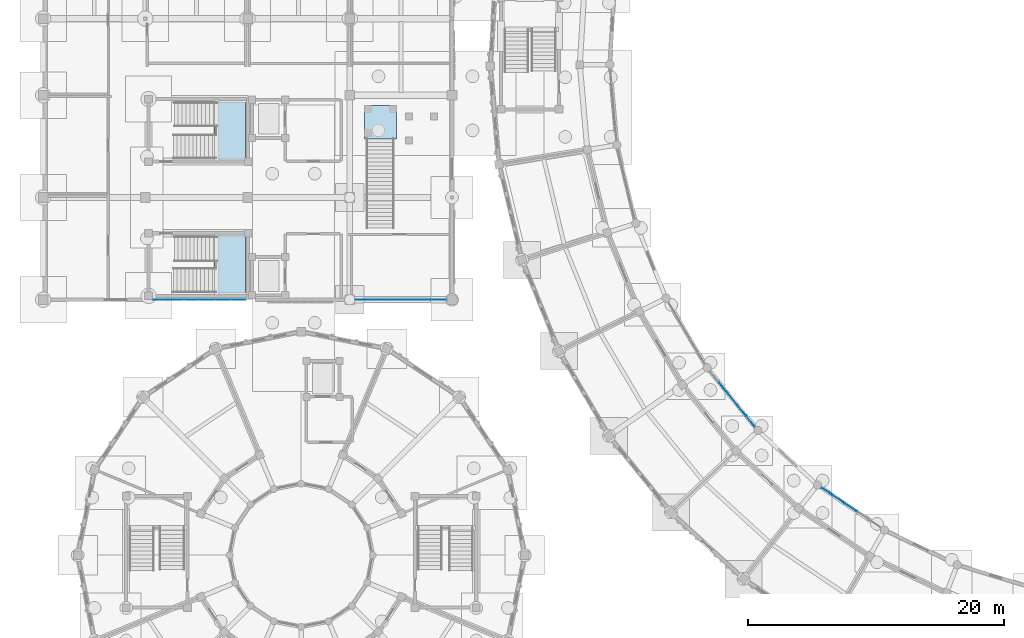
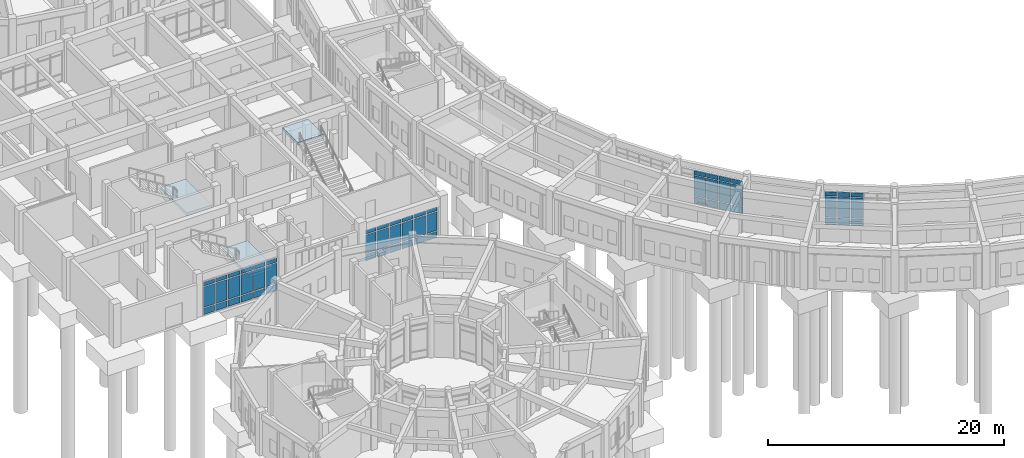
# One storey, part 103 of 153: 57 plates, 3 slabs, 7 elements without a shape of their own.
"""IFC4 building model written with IfcOpenShell, lengths in metres."""

import ifcopenshell
import ifcopenshell.guid

model = None  # the IFC model being written
_history = None  # IfcOwnerHistory: only IFC2X3 demands one
_inside = {}  # id of a spatial element -> (the spatial element, [elements in it])
_under = {}  # id of a project, library or spatial element -> (it, [spatial elements below it])
_declared = {}  # id of a project -> (the project, [libraries it declares])
_typed = {}  # id of a type object -> (the type object, [elements of that type])
_made_of = {}  # id of a material, layer set ... -> (it, [elements and type objects made of it])


def new_model(schema):
    """Start an empty IFC model of exactly this schema.

    Asked for "IFC4X3", IfcOpenShell would pick the latest addendum, in which some entities
    have other attributes; the version numbers below select the first issue.
    IFC2X3 requires an IfcOwnerHistory on every rooted entity: one is made here for all.
    """
    global model, _history
    if schema == "IFC4X3":
        model = ifcopenshell.file(schema_version=(4, 3, 0, 0))
    else:
        model = ifcopenshell.file(schema=schema)
    _inside.clear()
    _under.clear()
    _declared.clear()
    _typed.clear()
    _made_of.clear()
    _history = None
    if model.schema == "IFC2X3":
        org = make("IfcOrganization", Name="unknown")
        user = make(
            "IfcPersonAndOrganization",
            ThePerson=make("IfcPerson", FamilyName="unknown"),
            TheOrganization=org,
        )
        app = make(
            "IfcApplication",
            ApplicationDeveloper=org,
            Version="unknown",
            ApplicationFullName="unknown",
            ApplicationIdentifier="unknown",
        )
        _history = make(
            "IfcOwnerHistory",
            OwningUser=user,
            OwningApplication=app,
            ChangeAction="ADDED",
            CreationDate=0,
        )
    return model


def make(cls, **values):
    """One entity of the class cls with the attributes given. An attribute that is None is left unset."""
    return model.create_entity(
        cls, **{name: value for name, value in values.items() if value is not None}
    )


def rooted(cls, **values):
    """An entity with a GlobalId (a new one), such as an element, a storey or a relation."""
    return make(cls, GlobalId=ifcopenshell.guid.new(), OwnerHistory=_history, **values)


def si_unit(unit_type, name, prefix=None):
    """IfcSIUnit, for example si_unit("LENGTHUNIT", "METRE", prefix="MILLI")."""
    return make("IfcSIUnit", UnitType=unit_type, Prefix=prefix, Name=name)


def assignment(units):
    """IfcUnitAssignment: the units of a project."""
    return None if units is None else make("IfcUnitAssignment", Units=units)


def point(xyz):
    """IfcCartesianPoint."""
    return None if xyz is None else make("IfcCartesianPoint", Coordinates=xyz)


def direction(xyz):
    """IfcDirection."""
    return None if xyz is None else make("IfcDirection", DirectionRatios=xyz)


def frame(location, z_axis=None, x_axis=None):
    """IfcAxis2Placement3D, a coordinate frame: its origin and axes. An axis left out is left unset."""
    return make(
        "IfcAxis2Placement3D",
        Location=point(location),
        Axis=direction(z_axis),
        RefDirection=direction(x_axis),
    )


def frame_2d(location, x_axis=None):
    """IfcAxis2Placement2D, a coordinate frame in the plane: its origin and x axis."""
    return make(
        "IfcAxis2Placement2D", Location=point(location), RefDirection=direction(x_axis)
    )


def origin():
    """The frame at (0, 0, 0) with its axes left unset."""
    return frame((0.0, 0.0, 0.0))


def origin_2d():
    """The frame at (0, 0) in the plane with its x axis left unset."""
    return frame_2d((0.0, 0.0))


def place(relative_to, where):
    """IfcLocalPlacement: puts the frame where relative to a parent placement (None: the world)."""
    return make(
        "IfcLocalPlacement", PlacementRelTo=relative_to, RelativePlacement=where
    )


def context(
    kind, dimensions, precision=None, world=None, true_north=None, identifier=None
):
    """IfcGeometricRepresentationContext, for example the 3D "Model" context."""
    return make(
        "IfcGeometricRepresentationContext",
        ContextIdentifier=identifier,
        ContextType=kind,
        CoordinateSpaceDimension=dimensions,
        Precision=precision,
        WorldCoordinateSystem=world,
        TrueNorth=true_north,
    )


def subcontext(parent, identifier, kind, view, scale=None):
    """IfcGeometricRepresentationSubContext, for example "Body" below "Model"."""
    return make(
        "IfcGeometricRepresentationSubContext",
        ContextIdentifier=identifier,
        ContextType=kind,
        ParentContext=parent,
        TargetScale=scale,
        TargetView=view,
    )


def project(units=None, contexts=None):
    """IfcProject with its units and contexts."""
    return rooted(
        "IfcProject",
        Name="project",
        RepresentationContexts=contexts,
        UnitsInContext=assignment(units),
    )


def spatial(cls, under=None, at=None, **own):
    """A site, building, storey or space (cls), placed at a placement, below another one or the project."""
    s = rooted(cls, ObjectPlacement=at, **own)
    if under is not None:
        _under.setdefault(under.id(), (under, []))[1].append(s)
    return s


def polyline(points):
    """IfcPolyline through the points."""
    return make("IfcPolyline", Points=[point(p) for p in points])


def profile(cls, at=None, kind="AREA", **sizes):
    """A parametric profile (cls). Its sizes go by their IFC names, for example OverallWidth=200.0."""
    return make(cls, ProfileType=kind, Position=at, **sizes)


def rectangle(**sizes):
    """IfcRectangleProfileDef."""
    return profile("IfcRectangleProfileDef", **sizes)


def outline(outer, holes=None, kind="AREA"):
    """IfcArbitraryClosedProfileDef: a profile drawn as a closed curve; with holes, ...WithVoids."""
    if holes is None:
        return make("IfcArbitraryClosedProfileDef", ProfileType=kind, OuterCurve=outer)
    return make(
        "IfcArbitraryProfileDefWithVoids",
        ProfileType=kind,
        OuterCurve=outer,
        InnerCurves=holes,
    )


def extrude(swept, where, along, depth):
    """IfcExtrudedAreaSolid: the profile swept, set in the frame where, extruded along a direction by depth."""
    return make(
        "IfcExtrudedAreaSolid",
        SweptArea=swept,
        Position=where,
        ExtrudedDirection=direction(along),
        Depth=depth,
    )


def shape(context_of_items, identifier, shape_type, items):
    """IfcShapeRepresentation: the items that make up one representation, for example the "Body"."""
    return make(
        "IfcShapeRepresentation",
        ContextOfItems=context_of_items,
        RepresentationIdentifier=identifier,
        RepresentationType=shape_type,
        Items=items,
    )


def material(Name=None, Category=None):
    """IfcMaterial."""
    return make("IfcMaterial", Name=Name, Category=Category)


def layer(
    of_material, thickness, ventilated=None, Name=None, Category=None, Priority=None
):
    """IfcMaterialLayer: one layer of a wall or slab, of a material (None: an air gap)."""
    return make(
        "IfcMaterialLayer",
        Material=of_material,
        LayerThickness=thickness,
        IsVentilated=ventilated,
        Name=Name,
        Category=Category,
        Priority=Priority,
    )


def layer_set(layers, Name=None):
    """IfcMaterialLayerSet."""
    return make("IfcMaterialLayerSet", MaterialLayers=layers, LayerSetName=Name)


def made_of(thing, what):
    """Note that an element or type object is made of a material, layer set ...; save() writes the relation."""
    if what is not None:
        _made_of.setdefault(what.id(), (what, []))[1].append(thing)
    return thing


def type_object(cls, material=None, **own):
    """A type object (cls), such as IfcWallType, which elements share."""
    return made_of(rooted(cls, **own), material)


def element(
    cls,
    number,
    at=None,
    inside=None,
    cuts=None,
    type_object=None,
    material=None,
    context=None,
    identifier="Body",
    shape_type=None,
    held_by="IfcProductDefinitionShape",
    body=None,
    shapes=None,
    **own,
):
    """One element of the class cls, such as IfcWall. Its Tag is "e" and its number.

    at: its placement. inside: the storey or other place that contains it. cuts: it is an
    opening in that element (IfcRelVoidsElement). A single representation is given by context,
    identifier, shape_type and body (its items); several are given by shapes. held_by: the class
    of the entity that holds the representations. save() writes the other relations.
    """
    e = rooted(cls, Tag="e%d" % number, ObjectPlacement=at, **own)
    if body is not None:
        shapes = [shape(context, identifier, shape_type, body)]
    if shapes is not None:
        e.Representation = make(held_by, Representations=shapes)
    if inside is not None:
        _inside.setdefault(inside.id(), (inside, []))[1].append(e)
    if cuts is not None:
        rooted(
            "IfcRelVoidsElement", RelatingBuildingElement=cuts, RelatedOpeningElement=e
        )
    if type_object is not None:
        _typed.setdefault(type_object.id(), (type_object, []))[1].append(e)
    return made_of(e, material)


def aggregate(whole, parts):
    """IfcRelAggregates: a whole, such as a stair, and the parts it consists of."""
    return rooted("IfcRelAggregates", RelatingObject=whole, RelatedObjects=parts)


def save(model, path):
    """Write the relations noted so far, then the file.

    IfcRelAggregates (storeys below a building ...), IfcRelContainedInSpatialStructure (elements
    in a storey), IfcRelDefinesByType, IfcRelAssociatesMaterial and IfcRelDeclares: one each for
    every whole, place, type object, material and project.
    """
    for whole, parts in _under.values():
        aggregate(whole, parts)
    for where, things in _inside.values():
        rooted(
            "IfcRelContainedInSpatialStructure",
            RelatedElements=things,
            RelatingStructure=where,
        )
    for kind, things in _typed.values():
        rooted("IfcRelDefinesByType", RelatedObjects=things, RelatingType=kind)
    for what, things in _made_of.values():
        rooted("IfcRelAssociatesMaterial", RelatedObjects=things, RelatingMaterial=what)
    for by, libraries in _declared.values():
        rooted("IfcRelDeclares", RelatingContext=by, RelatedDefinitions=libraries)
    model.write(path)


model = new_model("IFC4")

# Units and contexts
model_context = context("Model", 3, precision=1e-05, world=origin(), true_north=direction((0.0, 1.0)))
body_context = subcontext(model_context, "Body", "Model", "MODEL_VIEW")
ifc_project = project(units=[si_unit("LENGTHUNIT", "METRE"), si_unit("AREAUNIT", "SQUARE_METRE"), si_unit("VOLUMEUNIT", "CUBIC_METRE"), si_unit("PLANEANGLEUNIT", "RADIAN"), si_unit("MASSUNIT", "GRAM", prefix="KILO")], contexts=[model_context])

# Site, building, storey
site_placement = place(None, origin())
site = spatial("IfcSite", under=ifc_project, at=site_placement, CompositionType="ELEMENT")
building_placement = place(site_placement, origin())
building = spatial("IfcBuilding", under=site, at=building_placement, Name="Celadon Cloister-Ring School", CompositionType="ELEMENT")
storey_placement = place(building_placement, origin())
storey = spatial("IfcBuildingStorey", under=building, at=storey_placement, Name="L00", CompositionType="ELEMENT", Elevation=0.0)

# Curtain wall, plates
ifc_material_1 = material(Name="Aluminium EN AW-6063 T6", Category="aluminium")
curtain_wall_type_1 = type_object("IfcCurtainWallType", Name="CW-12", PredefinedType="USERDEFINED", material=ifc_material_1)
curtain_wall_1_placement = place(storey_placement, origin())
curtain_wall_1 = element("IfcCurtainWall", 1, at=curtain_wall_1_placement, inside=storey, type_object=curtain_wall_type_1, Name="Curtain Wall 0193", ObjectType="CURTAIN WALL", PredefinedType="USERDEFINED")
ifc_material_2 = material(Name="Tempered laminated insulating glass", Category="glass")
ifc_layer_1 = layer(ifc_material_2, 0.02001953125)
ifc_layer_set_1 = layer_set([ifc_layer_1], Name="Tempered laminated insulating glass")
plate_type_1 = type_object("IfcPlateType", Name="CPN-01", PredefinedType="CURTAIN_PANEL", material=ifc_layer_set_1)
plate_1_placement = place(storey_placement, frame((30.993408203125, 40.0, 0.10498046875), z_axis=(0.0, 0.0, 1.0), x_axis=(-1.0, 0.0, 0.0)))
plate_1 = element("IfcPlate", 2, at=plate_1_placement, type_object=plate_type_1, Name="CW-12 panel 1.1", PredefinedType="CURTAIN_PANEL", context=body_context, shape_type="SweptSolid", body=[
    extrude(rectangle(XDim=1.043212890625, YDim=0.02001953125, at=origin_2d()), origin(), (0.0, 0.0, 1.0), 0.642578125),
])
plate_2_placement = place(storey_placement, frame((30.993408203125, 40.0, 0.8525390625), z_axis=(0.0, 0.0, 1.0), x_axis=(-1.0, 0.0, 0.0)))
plate_2 = element("IfcPlate", 3, at=plate_2_placement, type_object=plate_type_1, Name="CW-12 panel 1.2", PredefinedType="CURTAIN_PANEL", context=body_context, shape_type="SweptSolid", body=[
    extrude(rectangle(XDim=1.043212890625, YDim=0.02001953125, at=origin_2d()), origin(), (0.0, 0.0, 1.0), 1.927001953125),
])
plate_3_placement = place(storey_placement, frame((30.993408203125, 40.0, 2.884521484375), z_axis=(0.0, 0.0, 1.0), x_axis=(-1.0, 0.0, 0.0)))
plate_3 = element("IfcPlate", 4, at=plate_3_placement, type_object=plate_type_1, Name="CW-12 panel 1.3", PredefinedType="CURTAIN_PANEL", context=body_context, shape_type="SweptSolid", body=[
    extrude(rectangle(XDim=1.043212890625, YDim=0.02001953125, at=origin_2d()), origin(), (0.0, 0.0, 1.0), 0.392578125),
])
plate_4_placement = place(storey_placement, frame((29.8125, 40.0, 0.10498046875), z_axis=(0.0, 0.0, 1.0), x_axis=(-1.0, 0.0, 0.0)))
plate_4 = element("IfcPlate", 5, at=plate_4_placement, type_object=plate_type_1, Name="CW-12 panel 2.1", PredefinedType="CURTAIN_PANEL", context=body_context, shape_type="SweptSolid", body=[
    extrude(rectangle(XDim=1.098388671875, YDim=0.02001953125, at=origin_2d()), origin(), (0.0, 0.0, 1.0), 0.642578125),
])
plate_5_placement = place(storey_placement, frame((29.8125, 40.0, 0.8525390625), z_axis=(0.0, 0.0, 1.0), x_axis=(-1.0, 0.0, 0.0)))
plate_5 = element("IfcPlate", 6, at=plate_5_placement, type_object=plate_type_1, Name="CW-12 panel 2.2", PredefinedType="CURTAIN_PANEL", context=body_context, shape_type="SweptSolid", body=[
    extrude(rectangle(XDim=1.098388671875, YDim=0.02001953125, at=origin_2d()), origin(), (0.0, 0.0, 1.0), 1.927001953125),
])
plate_6_placement = place(storey_placement, frame((29.8125, 40.0, 2.884521484375), z_axis=(0.0, 0.0, 1.0), x_axis=(-1.0, 0.0, 0.0)))
plate_6 = element("IfcPlate", 7, at=plate_6_placement, type_object=plate_type_1, Name="CW-12 panel 2.3", PredefinedType="CURTAIN_PANEL", context=body_context, shape_type="SweptSolid", body=[
    extrude(rectangle(XDim=1.098388671875, YDim=0.02001953125, at=origin_2d()), origin(), (0.0, 0.0, 1.0), 0.392578125),
])
plate_7_placement = place(storey_placement, frame((28.604248046875, 40.0, 0.10498046875), z_axis=(0.0, 0.0, 1.0), x_axis=(-1.0, 0.0, 0.0)))
plate_7 = element("IfcPlate", 8, at=plate_7_placement, type_object=plate_type_1, Name="CW-12 panel 3.1", PredefinedType="CURTAIN_PANEL", context=body_context, shape_type="SweptSolid", body=[
    extrude(rectangle(XDim=1.098388671875, YDim=0.02001953125, at=origin_2d()), origin(), (0.0, 0.0, 1.0), 0.642578125),
])
plate_8_placement = place(storey_placement, frame((28.604248046875, 40.0, 0.8525390625), z_axis=(0.0, 0.0, 1.0), x_axis=(-1.0, 0.0, 0.0)))
plate_8 = element("IfcPlate", 9, at=plate_8_placement, type_object=plate_type_1, Name="CW-12 panel 3.2", PredefinedType="CURTAIN_PANEL", context=body_context, shape_type="SweptSolid", body=[
    extrude(rectangle(XDim=1.098388671875, YDim=0.02001953125, at=origin_2d()), origin(), (0.0, 0.0, 1.0), 1.927001953125),
])
plate_9_placement = place(storey_placement, frame((28.604248046875, 40.0, 2.884521484375), z_axis=(0.0, 0.0, 1.0), x_axis=(-1.0, 0.0, 0.0)))
plate_9 = element("IfcPlate", 10, at=plate_9_placement, type_object=plate_type_1, Name="CW-12 panel 3.3", PredefinedType="CURTAIN_PANEL", context=body_context, shape_type="SweptSolid", body=[
    extrude(rectangle(XDim=1.098388671875, YDim=0.02001953125, at=origin_2d()), origin(), (0.0, 0.0, 1.0), 0.392578125),
])
plate_10_placement = place(storey_placement, frame((27.395751953125, 40.0, 0.10498046875), z_axis=(0.0, 0.0, 1.0), x_axis=(-1.0, 0.0, 0.0)))
plate_10 = element("IfcPlate", 11, at=plate_10_placement, type_object=plate_type_1, Name="CW-12 panel 4.1", PredefinedType="CURTAIN_PANEL", context=body_context, shape_type="SweptSolid", body=[
    extrude(rectangle(XDim=1.098388671875, YDim=0.02001953125, at=origin_2d()), origin(), (0.0, 0.0, 1.0), 0.642578125),
])
plate_11_placement = place(storey_placement, frame((27.395751953125, 40.0, 0.8525390625), z_axis=(0.0, 0.0, 1.0), x_axis=(-1.0, 0.0, 0.0)))
plate_11 = element("IfcPlate", 12, at=plate_11_placement, type_object=plate_type_1, Name="CW-12 panel 4.2", PredefinedType="CURTAIN_PANEL", context=body_context, shape_type="SweptSolid", body=[
    extrude(rectangle(XDim=1.098388671875, YDim=0.02001953125, at=origin_2d()), origin(), (0.0, 0.0, 1.0), 1.927001953125),
])
plate_12_placement = place(storey_placement, frame((27.395751953125, 40.0, 2.884521484375), z_axis=(0.0, 0.0, 1.0), x_axis=(-1.0, 0.0, 0.0)))
plate_12 = element("IfcPlate", 13, at=plate_12_placement, type_object=plate_type_1, Name="CW-12 panel 4.3", PredefinedType="CURTAIN_PANEL", context=body_context, shape_type="SweptSolid", body=[
    extrude(rectangle(XDim=1.098388671875, YDim=0.02001953125, at=origin_2d()), origin(), (0.0, 0.0, 1.0), 0.392578125),
])
plate_13_placement = place(storey_placement, frame((26.1875, 40.0, 0.10498046875), z_axis=(0.0, 0.0, 1.0), x_axis=(-1.0, 0.0, 0.0)))
plate_13 = element("IfcPlate", 14, at=plate_13_placement, type_object=plate_type_1, Name="CW-12 panel 5.1", PredefinedType="CURTAIN_PANEL", context=body_context, shape_type="SweptSolid", body=[
    extrude(rectangle(XDim=1.098388671875, YDim=0.02001953125, at=origin_2d()), origin(), (0.0, 0.0, 1.0), 0.642578125),
])
plate_14_placement = place(storey_placement, frame((26.1875, 40.0, 0.8525390625), z_axis=(0.0, 0.0, 1.0), x_axis=(-1.0, 0.0, 0.0)))
plate_14 = element("IfcPlate", 15, at=plate_14_placement, type_object=plate_type_1, Name="CW-12 panel 5.2", PredefinedType="CURTAIN_PANEL", context=body_context, shape_type="SweptSolid", body=[
    extrude(rectangle(XDim=1.098388671875, YDim=0.02001953125, at=origin_2d()), origin(), (0.0, 0.0, 1.0), 1.927001953125),
])
plate_15_placement = place(storey_placement, frame((26.1875, 40.0, 2.884521484375), z_axis=(0.0, 0.0, 1.0), x_axis=(-1.0, 0.0, 0.0)))
plate_15 = element("IfcPlate", 16, at=plate_15_placement, type_object=plate_type_1, Name="CW-12 panel 5.3", PredefinedType="CURTAIN_PANEL", context=body_context, shape_type="SweptSolid", body=[
    extrude(rectangle(XDim=1.098388671875, YDim=0.02001953125, at=origin_2d()), origin(), (0.0, 0.0, 1.0), 0.392578125),
])
plate_16_placement = place(storey_placement, frame((25.006591796875, 40.0, 0.10498046875), z_axis=(0.0, 0.0, 1.0), x_axis=(-1.0, 0.0, 0.0)))
plate_16 = element("IfcPlate", 17, at=plate_16_placement, type_object=plate_type_1, Name="CW-12 panel 6.1", PredefinedType="CURTAIN_PANEL", context=body_context, shape_type="SweptSolid", body=[
    extrude(rectangle(XDim=1.043212890625, YDim=0.02001953125, at=origin_2d()), origin(), (0.0, 0.0, 1.0), 0.642578125),
])
plate_17_placement = place(storey_placement, frame((25.006591796875, 40.0, 0.8525390625), z_axis=(0.0, 0.0, 1.0), x_axis=(-1.0, 0.0, 0.0)))
plate_17 = element("IfcPlate", 18, at=plate_17_placement, type_object=plate_type_1, Name="CW-12 panel 6.2", PredefinedType="CURTAIN_PANEL", context=body_context, shape_type="SweptSolid", body=[
    extrude(rectangle(XDim=1.043212890625, YDim=0.02001953125, at=origin_2d()), origin(), (0.0, 0.0, 1.0), 1.927001953125),
])
plate_18_placement = place(storey_placement, frame((25.006591796875, 40.0, 2.884521484375), z_axis=(0.0, 0.0, 1.0), x_axis=(-1.0, 0.0, 0.0)))
plate_18 = element("IfcPlate", 19, at=plate_18_placement, type_object=plate_type_1, Name="CW-12 panel 6.3", PredefinedType="CURTAIN_PANEL", context=body_context, shape_type="SweptSolid", body=[
    extrude(rectangle(XDim=1.043212890625, YDim=0.02001953125, at=origin_2d()), origin(), (0.0, 0.0, 1.0), 0.392578125),
])
aggregate(curtain_wall_1, [plate_1, plate_2, plate_3, plate_4, plate_5, plate_6, plate_7, plate_8, plate_9, plate_10, plate_11, plate_12, plate_13, plate_14, plate_15, plate_16, plate_17, plate_18])

ifc_material_3 = material(Name="Aluminium EN AW-6063 T6", Category="aluminium")
curtain_wall_type_2 = type_object("IfcCurtainWallType", Name="CW-13", PredefinedType="USERDEFINED", material=ifc_material_3)
curtain_wall_2_placement = place(storey_placement, origin())
curtain_wall_2 = element("IfcCurtainWall", 20, at=curtain_wall_2_placement, inside=storey, type_object=curtain_wall_type_2, Name="Curtain Wall 0194", ObjectType="CURTAIN WALL", PredefinedType="USERDEFINED")
plate_19_placement = place(storey_placement, frame((15.296630859375, 40.0, 0.10498046875), z_axis=(0.0, 0.0, 1.0), x_axis=(-1.0, 0.0, 0.0)))
plate_19 = element("IfcPlate", 21, at=plate_19_placement, type_object=plate_type_1, Name="CW-13 panel 1.1", PredefinedType="CURTAIN_PANEL", context=body_context, shape_type="SweptSolid", body=[
    extrude(rectangle(XDim=1.066650390625, YDim=0.02001953125, at=origin_2d()), origin(), (0.0, 0.0, 1.0), 0.642578125),
])
plate_20_placement = place(storey_placement, frame((15.296630859375, 40.0, 0.8525390625), z_axis=(0.0, 0.0, 1.0), x_axis=(-1.0, 0.0, 0.0)))
plate_20 = element("IfcPlate", 22, at=plate_20_placement, type_object=plate_type_1, Name="CW-13 panel 1.2", PredefinedType="CURTAIN_PANEL", context=body_context, shape_type="SweptSolid", body=[
    extrude(rectangle(XDim=1.066650390625, YDim=0.02001953125, at=origin_2d()), origin(), (0.0, 0.0, 1.0), 2.094970703125),
])
plate_21_placement = place(storey_placement, frame((15.296630859375, 40.0, 3.052490234375), z_axis=(0.0, 0.0, 1.0), x_axis=(-1.0, 0.0, 0.0)))
plate_21 = element("IfcPlate", 23, at=plate_21_placement, type_object=plate_type_1, Name="CW-13 panel 1.3", PredefinedType="CURTAIN_PANEL", context=body_context, shape_type="SweptSolid", body=[
    extrude(rectangle(XDim=1.066650390625, YDim=0.02001953125, at=origin_2d()), origin(), (0.0, 0.0, 1.0), 0.392578125),
])
plate_22_placement = place(storey_placement, frame((14.092529296875, 40.0, 0.10498046875), z_axis=(0.0, 0.0, 1.0), x_axis=(-1.0, 0.0, 0.0)))
plate_22 = element("IfcPlate", 24, at=plate_22_placement, type_object=plate_type_1, Name="CW-13 panel 2.1", PredefinedType="CURTAIN_PANEL", context=body_context, shape_type="SweptSolid", body=[
    extrude(rectangle(XDim=1.12158203125, YDim=0.02001953125, at=origin_2d()), origin(), (0.0, 0.0, 1.0), 0.642578125),
])
plate_23_placement = place(storey_placement, frame((14.092529296875, 40.0, 0.8525390625), z_axis=(0.0, 0.0, 1.0), x_axis=(-1.0, 0.0, 0.0)))
plate_23 = element("IfcPlate", 25, at=plate_23_placement, type_object=plate_type_1, Name="CW-13 panel 2.2", PredefinedType="CURTAIN_PANEL", context=body_context, shape_type="SweptSolid", body=[
    extrude(rectangle(XDim=1.12158203125, YDim=0.02001953125, at=origin_2d()), origin(), (0.0, 0.0, 1.0), 2.094970703125),
])
plate_24_placement = place(storey_placement, frame((14.092529296875, 40.0, 3.052490234375), z_axis=(0.0, 0.0, 1.0), x_axis=(-1.0, 0.0, 0.0)))
plate_24 = element("IfcPlate", 26, at=plate_24_placement, type_object=plate_type_1, Name="CW-13 panel 2.3", PredefinedType="CURTAIN_PANEL", context=body_context, shape_type="SweptSolid", body=[
    extrude(rectangle(XDim=1.12158203125, YDim=0.02001953125, at=origin_2d()), origin(), (0.0, 0.0, 1.0), 0.392578125),
])
plate_25_placement = place(storey_placement, frame((12.86083984375, 40.0, 0.10498046875), z_axis=(0.0, 0.0, 1.0), x_axis=(-1.0, 0.0, 0.0)))
plate_25 = element("IfcPlate", 27, at=plate_25_placement, type_object=plate_type_1, Name="CW-13 panel 3.1", PredefinedType="CURTAIN_PANEL", context=body_context, shape_type="SweptSolid", body=[
    extrude(rectangle(XDim=1.12158203125, YDim=0.02001953125, at=origin_2d()), origin(), (0.0, 0.0, 1.0), 0.642578125),
])
plate_26_placement = place(storey_placement, frame((12.86083984375, 40.0, 0.8525390625), z_axis=(0.0, 0.0, 1.0), x_axis=(-1.0, 0.0, 0.0)))
plate_26 = element("IfcPlate", 28, at=plate_26_placement, type_object=plate_type_1, Name="CW-13 panel 3.2", PredefinedType="CURTAIN_PANEL", context=body_context, shape_type="SweptSolid", body=[
    extrude(rectangle(XDim=1.12158203125, YDim=0.02001953125, at=origin_2d()), origin(), (0.0, 0.0, 1.0), 2.094970703125),
])
plate_27_placement = place(storey_placement, frame((12.86083984375, 40.0, 3.052490234375), z_axis=(0.0, 0.0, 1.0), x_axis=(-1.0, 0.0, 0.0)))
plate_27 = element("IfcPlate", 29, at=plate_27_placement, type_object=plate_type_1, Name="CW-13 panel 3.3", PredefinedType="CURTAIN_PANEL", context=body_context, shape_type="SweptSolid", body=[
    extrude(rectangle(XDim=1.12158203125, YDim=0.02001953125, at=origin_2d()), origin(), (0.0, 0.0, 1.0), 0.392578125),
])
plate_28_placement = place(storey_placement, frame((11.629150390625, 40.0, 0.10498046875), z_axis=(0.0, 0.0, 1.0), x_axis=(-1.0, 0.0, 0.0)))
plate_28 = element("IfcPlate", 30, at=plate_28_placement, type_object=plate_type_1, Name="CW-13 panel 4.1", PredefinedType="CURTAIN_PANEL", context=body_context, shape_type="SweptSolid", body=[
    extrude(rectangle(XDim=1.12158203125, YDim=0.02001953125, at=origin_2d()), origin(), (0.0, 0.0, 1.0), 0.642578125),
])
plate_29_placement = place(storey_placement, frame((11.629150390625, 40.0, 0.8525390625), z_axis=(0.0, 0.0, 1.0), x_axis=(-1.0, 0.0, 0.0)))
plate_29 = element("IfcPlate", 31, at=plate_29_placement, type_object=plate_type_1, Name="CW-13 panel 4.2", PredefinedType="CURTAIN_PANEL", context=body_context, shape_type="SweptSolid", body=[
    extrude(rectangle(XDim=1.12158203125, YDim=0.02001953125, at=origin_2d()), origin(), (0.0, 0.0, 1.0), 2.094970703125),
])
plate_30_placement = place(storey_placement, frame((11.629150390625, 40.0, 3.052490234375), z_axis=(0.0, 0.0, 1.0), x_axis=(-1.0, 0.0, 0.0)))
plate_30 = element("IfcPlate", 32, at=plate_30_placement, type_object=plate_type_1, Name="CW-13 panel 4.3", PredefinedType="CURTAIN_PANEL", context=body_context, shape_type="SweptSolid", body=[
    extrude(rectangle(XDim=1.12158203125, YDim=0.02001953125, at=origin_2d()), origin(), (0.0, 0.0, 1.0), 0.392578125),
])
plate_31_placement = place(storey_placement, frame((10.3974609375, 40.0, 0.10498046875), z_axis=(0.0, 0.0, 1.0), x_axis=(-1.0, 0.0, 0.0)))
plate_31 = element("IfcPlate", 33, at=plate_31_placement, type_object=plate_type_1, Name="CW-13 panel 5.1", PredefinedType="CURTAIN_PANEL", context=body_context, shape_type="SweptSolid", body=[
    extrude(rectangle(XDim=1.12158203125, YDim=0.02001953125, at=origin_2d()), origin(), (0.0, 0.0, 1.0), 0.642578125),
])
plate_32_placement = place(storey_placement, frame((10.3974609375, 40.0, 0.8525390625), z_axis=(0.0, 0.0, 1.0), x_axis=(-1.0, 0.0, 0.0)))
plate_32 = element("IfcPlate", 34, at=plate_32_placement, type_object=plate_type_1, Name="CW-13 panel 5.2", PredefinedType="CURTAIN_PANEL", context=body_context, shape_type="SweptSolid", body=[
    extrude(rectangle(XDim=1.12158203125, YDim=0.02001953125, at=origin_2d()), origin(), (0.0, 0.0, 1.0), 2.094970703125),
])
plate_33_placement = place(storey_placement, frame((10.3974609375, 40.0, 3.052490234375), z_axis=(0.0, 0.0, 1.0), x_axis=(-1.0, 0.0, 0.0)))
plate_33 = element("IfcPlate", 35, at=plate_33_placement, type_object=plate_type_1, Name="CW-13 panel 5.3", PredefinedType="CURTAIN_PANEL", context=body_context, shape_type="SweptSolid", body=[
    extrude(rectangle(XDim=1.12158203125, YDim=0.02001953125, at=origin_2d()), origin(), (0.0, 0.0, 1.0), 0.392578125),
])
plate_34_placement = place(storey_placement, frame((9.193359375, 40.0, 0.10498046875), z_axis=(0.0, 0.0, 1.0), x_axis=(-1.0, 0.0, 0.0)))
plate_34 = element("IfcPlate", 36, at=plate_34_placement, type_object=plate_type_1, Name="CW-13 panel 6.1", PredefinedType="CURTAIN_PANEL", context=body_context, shape_type="SweptSolid", body=[
    extrude(rectangle(XDim=1.066650390625, YDim=0.02001953125, at=origin_2d()), origin(), (0.0, 0.0, 1.0), 0.642578125),
])
plate_35_placement = place(storey_placement, frame((9.193359375, 40.0, 0.8525390625), z_axis=(0.0, 0.0, 1.0), x_axis=(-1.0, 0.0, 0.0)))
plate_35 = element("IfcPlate", 37, at=plate_35_placement, type_object=plate_type_1, Name="CW-13 panel 6.2", PredefinedType="CURTAIN_PANEL", context=body_context, shape_type="SweptSolid", body=[
    extrude(rectangle(XDim=1.066650390625, YDim=0.02001953125, at=origin_2d()), origin(), (0.0, 0.0, 1.0), 2.094970703125),
])
plate_36_placement = place(storey_placement, frame((9.193359375, 40.0, 3.052490234375), z_axis=(0.0, 0.0, 1.0), x_axis=(-1.0, 0.0, 0.0)))
plate_36 = element("IfcPlate", 38, at=plate_36_placement, type_object=plate_type_1, Name="CW-13 panel 6.3", PredefinedType="CURTAIN_PANEL", context=body_context, shape_type="SweptSolid", body=[
    extrude(rectangle(XDim=1.066650390625, YDim=0.02001953125, at=origin_2d()), origin(), (0.0, 0.0, 1.0), 0.392578125),
])
aggregate(curtain_wall_2, [plate_19, plate_20, plate_21, plate_22, plate_23, plate_24, plate_25, plate_26, plate_27, plate_28, plate_29, plate_30, plate_31, plate_32, plate_33, plate_34, plate_35, plate_36])

ifc_material_4 = material(Name="Aluminium EN AW-6063 T6", Category="aluminium")
curtain_wall_type_3 = type_object("IfcCurtainWallType", Name="CW-01", PredefinedType="USERDEFINED", material=ifc_material_4)
curtain_wall_3_placement = place(storey_placement, origin())
curtain_wall_3 = element("IfcCurtainWall", 39, at=curtain_wall_3_placement, inside=storey, type_object=curtain_wall_type_3, Name="Curtain Wall 0007", ObjectType="CURTAIN WALL", PredefinedType="USERDEFINED")
ifc_material_5 = material(Name="Tempered laminated insulating glass", Category="glass")
ifc_layer_2 = layer(ifc_material_5, 0.028076171875)
ifc_layer_set_2 = layer_set([ifc_layer_2], Name="Tempered laminated insulating glass")
plate_type_2 = type_object("IfcPlateType", Name="CPN-02", PredefinedType="CURTAIN_PANEL", material=ifc_layer_set_2)
plate_37_placement = place(storey_placement, frame((53.243408203125, 33.1005859375, 0.074951171875), z_axis=(0.0, 0.0, 1.0), x_axis=(0.629416415615, -0.777068192474, 0.0)))
plate_37 = element("IfcPlate", 40, at=plate_37_placement, type_object=plate_type_2, Name="CW-01 panel 2.1", PredefinedType="CURTAIN_PANEL", context=body_context, shape_type="SweptSolid", body=[
    extrude(rectangle(XDim=1.0537109375, YDim=0.028076171875, at=origin_2d()), origin(), (0.0, 0.0, 1.0), 0.6875),
])
plate_38_placement = place(storey_placement, frame((53.243408203125, 33.1005859375, 0.83740234375), z_axis=(0.0, 0.0, 1.0), x_axis=(0.629416415615, -0.777068192474, 0.0)))
plate_38 = element("IfcPlate", 41, at=plate_38_placement, type_object=plate_type_2, Name="CW-01 panel 2.2", PredefinedType="CURTAIN_PANEL", context=body_context, shape_type="SweptSolid", body=[
    extrude(rectangle(XDim=1.0537109375, YDim=0.028076171875, at=origin_2d()), origin(), (0.0, 0.0, 1.0), 2.125),
])
plate_39_placement = place(storey_placement, frame((53.243408203125, 33.1005859375, 3.03759765625), z_axis=(0.0, 0.0, 1.0), x_axis=(0.629416415615, -0.777068192474, 0.0)))
plate_39 = element("IfcPlate", 42, at=plate_39_placement, type_object=plate_type_2, Name="CW-01 panel 2.3", PredefinedType="CURTAIN_PANEL", context=body_context, shape_type="SweptSolid", body=[
    extrude(rectangle(XDim=1.0537109375, YDim=0.028076171875, at=origin_2d()), origin(), (0.0, 0.0, 1.0), 0.4375),
])
plate_40_placement = place(storey_placement, frame((53.95703125, 32.219482421875, 0.074951171875), z_axis=(0.0, 0.0, 1.0), x_axis=(0.629416415615, -0.777068192474, 0.0)))
plate_40 = element("IfcPlate", 43, at=plate_40_placement, type_object=plate_type_2, Name="CW-01 panel 3.1", PredefinedType="CURTAIN_PANEL", context=body_context, shape_type="SweptSolid", body=[
    extrude(rectangle(XDim=1.0537109375, YDim=0.028076171875, at=origin_2d()), origin(), (0.0, 0.0, 1.0), 0.6875),
])
plate_41_placement = place(storey_placement, frame((53.95703125, 32.219482421875, 0.83740234375), z_axis=(0.0, 0.0, 1.0), x_axis=(0.629416415615, -0.777068192474, 0.0)))
plate_41 = element("IfcPlate", 44, at=plate_41_placement, type_object=plate_type_2, Name="CW-01 panel 3.2", PredefinedType="CURTAIN_PANEL", context=body_context, shape_type="SweptSolid", body=[
    extrude(rectangle(XDim=1.0537109375, YDim=0.028076171875, at=origin_2d()), origin(), (0.0, 0.0, 1.0), 2.125),
])
plate_42_placement = place(storey_placement, frame((53.95703125, 32.219482421875, 3.03759765625), z_axis=(0.0, 0.0, 1.0), x_axis=(0.629416415615, -0.777068192474, 0.0)))
plate_42 = element("IfcPlate", 45, at=plate_42_placement, type_object=plate_type_2, Name="CW-01 panel 3.3", PredefinedType="CURTAIN_PANEL", context=body_context, shape_type="SweptSolid", body=[
    extrude(rectangle(XDim=1.0537109375, YDim=0.028076171875, at=origin_2d()), origin(), (0.0, 0.0, 1.0), 0.4375),
])
plate_43_placement = place(storey_placement, frame((54.670654296875, 31.33837890625, 0.074951171875), z_axis=(0.0, 0.0, 1.0), x_axis=(0.629416415615, -0.777068192474, 0.0)))
plate_43 = element("IfcPlate", 46, at=plate_43_placement, type_object=plate_type_2, Name="CW-01 panel 4.1", PredefinedType="CURTAIN_PANEL", context=body_context, shape_type="SweptSolid", body=[
    extrude(rectangle(XDim=1.0537109375, YDim=0.028076171875, at=origin_2d()), origin(), (0.0, 0.0, 1.0), 0.6875),
])
plate_44_placement = place(storey_placement, frame((54.670654296875, 31.33837890625, 0.83740234375), z_axis=(0.0, 0.0, 1.0), x_axis=(0.629416415615, -0.777068192474, 0.0)))
plate_44 = element("IfcPlate", 47, at=plate_44_placement, type_object=plate_type_2, Name="CW-01 panel 4.2", PredefinedType="CURTAIN_PANEL", context=body_context, shape_type="SweptSolid", body=[
    extrude(rectangle(XDim=1.0537109375, YDim=0.028076171875, at=origin_2d()), origin(), (0.0, 0.0, 1.0), 2.125),
])
plate_45_placement = place(storey_placement, frame((54.670654296875, 31.33837890625, 3.03759765625), z_axis=(0.0, 0.0, 1.0), x_axis=(0.629416415615, -0.777068192474, 0.0)))
plate_45 = element("IfcPlate", 48, at=plate_45_placement, type_object=plate_type_2, Name="CW-01 panel 4.3", PredefinedType="CURTAIN_PANEL", context=body_context, shape_type="SweptSolid", body=[
    extrude(rectangle(XDim=1.0537109375, YDim=0.028076171875, at=origin_2d()), origin(), (0.0, 0.0, 1.0), 0.4375),
])
plate_46_placement = place(storey_placement, frame((55.37158203125, 30.47314453125, 0.074951171875), z_axis=(0.0, 0.0, 1.0), x_axis=(0.629416415615, -0.777068192474, 0.0)))
plate_46 = element("IfcPlate", 49, at=plate_46_placement, type_object=plate_type_2, Name="CW-01 panel 5.1", PredefinedType="CURTAIN_PANEL", context=body_context, shape_type="SweptSolid", body=[
    extrude(rectangle(XDim=1.013671875, YDim=0.028076171875, at=origin_2d()), origin(), (0.0, 0.0, 1.0), 0.6875),
])
plate_47_placement = place(storey_placement, frame((55.37158203125, 30.47314453125, 0.83740234375), z_axis=(0.0, 0.0, 1.0), x_axis=(0.629416415615, -0.777068192474, 0.0)))
plate_47 = element("IfcPlate", 50, at=plate_47_placement, type_object=plate_type_2, Name="CW-01 panel 5.2", PredefinedType="CURTAIN_PANEL", context=body_context, shape_type="SweptSolid", body=[
    extrude(rectangle(XDim=1.013671875, YDim=0.028076171875, at=origin_2d()), origin(), (0.0, 0.0, 1.0), 2.125),
])
plate_48_placement = place(storey_placement, frame((55.37158203125, 30.47314453125, 3.03759765625), z_axis=(0.0, 0.0, 1.0), x_axis=(0.629416415615, -0.777068192474, 0.0)))
plate_48 = element("IfcPlate", 51, at=plate_48_placement, type_object=plate_type_2, Name="CW-01 panel 5.3", PredefinedType="CURTAIN_PANEL", context=body_context, shape_type="SweptSolid", body=[
    extrude(rectangle(XDim=1.013671875, YDim=0.028076171875, at=origin_2d()), origin(), (0.0, 0.0, 1.0), 0.4375),
])
aggregate(curtain_wall_3, [plate_37, plate_38, plate_39, plate_40, plate_41, plate_42, plate_43, plate_44, plate_45, plate_46, plate_47, plate_48])

curtain_wall_4_placement = place(storey_placement, origin())
curtain_wall_4 = element("IfcCurtainWall", 52, at=curtain_wall_4_placement, inside=storey, type_object=curtain_wall_type_3, Name="Curtain Wall 0008", ObjectType="CURTAIN WALL", PredefinedType="USERDEFINED")
plate_49_placement = place(storey_placement, frame((61.361572265625, 24.988037109375, 0.074951171875), z_axis=(0.0, 0.0, 1.0), x_axis=(0.829271759206, -0.558845550563, 0.0)))
plate_49 = element("IfcPlate", 53, at=plate_49_placement, type_object=plate_type_2, Name="CW-01 panel 1.1", PredefinedType="CURTAIN_PANEL", context=body_context, shape_type="SweptSolid", body=[
    extrude(rectangle(XDim=1.013671875, YDim=0.028076171875, at=origin_2d()), origin(), (0.0, 0.0, 1.0), 0.6875),
])
plate_50_placement = place(storey_placement, frame((61.361572265625, 24.988037109375, 0.83740234375), z_axis=(0.0, 0.0, 1.0), x_axis=(0.829271759206, -0.558845550563, 0.0)))
plate_50 = element("IfcPlate", 54, at=plate_50_placement, type_object=plate_type_2, Name="CW-01 panel 1.2", PredefinedType="CURTAIN_PANEL", context=body_context, shape_type="SweptSolid", body=[
    extrude(rectangle(XDim=1.013671875, YDim=0.028076171875, at=origin_2d()), origin(), (0.0, 0.0, 1.0), 2.125),
])
plate_51_placement = place(storey_placement, frame((61.361572265625, 24.988037109375, 3.03759765625), z_axis=(0.0, 0.0, 1.0), x_axis=(0.829271759206, -0.558845550563, 0.0)))
plate_51 = element("IfcPlate", 55, at=plate_51_placement, type_object=plate_type_2, Name="CW-01 panel 1.3", PredefinedType="CURTAIN_PANEL", context=body_context, shape_type="SweptSolid", body=[
    extrude(rectangle(XDim=1.013671875, YDim=0.028076171875, at=origin_2d()), origin(), (0.0, 0.0, 1.0), 0.4375),
])
plate_52_placement = place(storey_placement, frame((62.285400390625, 24.365478515625, 0.074951171875), z_axis=(0.0, 0.0, 1.0), x_axis=(0.829271759206, -0.558845550563, 0.0)))
plate_52 = element("IfcPlate", 56, at=plate_52_placement, type_object=plate_type_2, Name="CW-01 panel 2.1", PredefinedType="CURTAIN_PANEL", context=body_context, shape_type="SweptSolid", body=[
    extrude(rectangle(XDim=1.0537109375, YDim=0.028076171875, at=origin_2d()), origin(), (0.0, 0.0, 1.0), 0.6875),
])
plate_53_placement = place(storey_placement, frame((62.285400390625, 24.365478515625, 0.83740234375), z_axis=(0.0, 0.0, 1.0), x_axis=(0.829271759206, -0.558845550563, 0.0)))
plate_53 = element("IfcPlate", 57, at=plate_53_placement, type_object=plate_type_2, Name="CW-01 panel 2.2", PredefinedType="CURTAIN_PANEL", context=body_context, shape_type="SweptSolid", body=[
    extrude(rectangle(XDim=1.0537109375, YDim=0.028076171875, at=origin_2d()), origin(), (0.0, 0.0, 1.0), 2.125),
])
plate_54_placement = place(storey_placement, frame((62.285400390625, 24.365478515625, 3.03759765625), z_axis=(0.0, 0.0, 1.0), x_axis=(0.829271759206, -0.558845550563, 0.0)))
plate_54 = element("IfcPlate", 58, at=plate_54_placement, type_object=plate_type_2, Name="CW-01 panel 2.3", PredefinedType="CURTAIN_PANEL", context=body_context, shape_type="SweptSolid", body=[
    extrude(rectangle(XDim=1.0537109375, YDim=0.028076171875, at=origin_2d()), origin(), (0.0, 0.0, 1.0), 0.4375),
])
plate_55_placement = place(storey_placement, frame((63.2255859375, 23.73193359375, 0.074951171875), z_axis=(0.0, 0.0, 1.0), x_axis=(0.829271759206, -0.558845550563, 0.0)))
plate_55 = element("IfcPlate", 59, at=plate_55_placement, type_object=plate_type_2, Name="CW-01 panel 3.1", PredefinedType="CURTAIN_PANEL", context=body_context, shape_type="SweptSolid", body=[
    extrude(rectangle(XDim=1.0537109375, YDim=0.028076171875, at=origin_2d()), origin(), (0.0, 0.0, 1.0), 0.6875),
])
plate_56_placement = place(storey_placement, frame((63.2255859375, 23.73193359375, 0.83740234375), z_axis=(0.0, 0.0, 1.0), x_axis=(0.829271759206, -0.558845550563, 0.0)))
plate_56 = element("IfcPlate", 60, at=plate_56_placement, type_object=plate_type_2, Name="CW-01 panel 3.2", PredefinedType="CURTAIN_PANEL", context=body_context, shape_type="SweptSolid", body=[
    extrude(rectangle(XDim=1.0537109375, YDim=0.028076171875, at=origin_2d()), origin(), (0.0, 0.0, 1.0), 2.125),
])
plate_57_placement = place(storey_placement, frame((63.2255859375, 23.73193359375, 3.03759765625), z_axis=(0.0, 0.0, 1.0), x_axis=(0.829271759206, -0.558845550563, 0.0)))
plate_57 = element("IfcPlate", 61, at=plate_57_placement, type_object=plate_type_2, Name="CW-01 panel 3.3", PredefinedType="CURTAIN_PANEL", context=body_context, shape_type="SweptSolid", body=[
    extrude(rectangle(XDim=1.0537109375, YDim=0.028076171875, at=origin_2d()), origin(), (0.0, 0.0, 1.0), 0.4375),
])
aggregate(curtain_wall_4, [plate_49, plate_50, plate_51, plate_52, plate_53, plate_54, plate_55, plate_56, plate_57])

# Stair, slab
ifc_material_6 = material(Name="Concrete C35/45", Category="concrete")
stair_type_1 = type_object("IfcStairType", Name="ST-01", PredefinedType="HALF_TURN_STAIR", material=ifc_material_6)
stair_1_placement = place(storey_placement, origin())
stair_1 = element("IfcStair", 62, at=stair_1_placement, inside=storey, type_object=stair_type_1, Name="Exit Stair ST-V5A L00", PredefinedType="HALF_TURN_STAIR")
ifc_material_7 = material(Name="Concrete C35/45", Category="concrete")
ifc_layer_3 = layer(ifc_material_7, 0.280029296875)
ifc_layer_set_3 = layer_set([ifc_layer_3], Name="Concrete C35/45")
slab_type_1 = type_object("IfcSlabType", Name="SL-LD1", PredefinedType="LANDING", material=ifc_layer_set_3)
slab_1_placement = place(storey_placement, frame((0.0, 0.0, 1.969970703125)))
slab_1 = element("IfcSlab", 63, at=slab_1_placement, type_object=slab_type_1, Name="ST-01 landing 1", PredefinedType="LANDING", context=body_context, shape_type="SweptSolid", body=[
    extrude(outline(polyline([(13.385009765625, 40.52001953125), (15.830078125, 40.52001953125), (15.830078125, 44.97998046875), (13.385009765625, 44.97998046875), (13.385009765625, 40.52001953125)])), origin(), (0.0, 0.0, 1.0), 0.280029296875),
])
aggregate(stair_1, [slab_1])

ifc_material_8 = material(Name="Concrete C35/45", Category="concrete")
stair_type_2 = type_object("IfcStairType", Name="ST-03", PredefinedType="HALF_TURN_STAIR", material=ifc_material_8)
stair_2_placement = place(storey_placement, origin())
stair_2 = element("IfcStair", 64, at=stair_2_placement, inside=storey, type_object=stair_type_2, Name="Exit Stair ST-V5B L00", PredefinedType="HALF_TURN_STAIR")
ifc_material_9 = material(Name="Concrete C35/45", Category="concrete")
ifc_layer_4 = layer(ifc_material_9, 0.300048828125)
ifc_layer_set_4 = layer_set([ifc_layer_4], Name="Concrete C35/45")
slab_type_2 = type_object("IfcSlabType", Name="SL-LD2", PredefinedType="LANDING", material=ifc_layer_set_4)
slab_2_placement = place(storey_placement, frame((0.0, 0.0, 1.949951171875)))
slab_2 = element("IfcSlab", 65, at=slab_2_placement, type_object=slab_type_2, Name="ST-03 landing 1", PredefinedType="LANDING", context=body_context, shape_type="SweptSolid", body=[
    extrude(outline(polyline([(13.385009765625, 51.02001953125), (15.830078125, 51.02001953125), (15.830078125, 55.47998046875), (13.385009765625, 55.47998046875), (13.385009765625, 51.02001953125)])), origin(), (0.0, 0.0, 1.0), 0.300048828125),
])
aggregate(stair_2, [slab_2])

ifc_material_10 = material(Name="Concrete C35/45", Category="concrete")
stair_type_3 = type_object("IfcStairType", Name="ST-05", PredefinedType="STRAIGHT_RUN_STAIR", material=ifc_material_10)
stair_3_placement = place(storey_placement, origin())
stair_3 = element("IfcStair", 66, at=stair_3_placement, inside=storey, type_object=stair_type_3, Name="Science Concourse Grand Stair", PredefinedType="STRAIGHT_RUN_STAIR")
slab_3_placement = place(storey_placement, frame((0.0, 0.0, 4.199951171875)))
slab_3 = element("IfcSlab", 67, at=slab_3_placement, type_object=slab_type_2, Name="ST-05 landing 1", PredefinedType="LANDING", context=body_context, shape_type="SweptSolid", body=[
    extrude(outline(polyline([(25.159912109375, 52.574951171875), (27.639892578125, 52.574951171875), (27.639892578125, 55.18994140625), (25.159912109375, 55.18994140625), (25.159912109375, 52.574951171875)])), origin(), (0.0, 0.0, 1.0), 0.300048828125),
])
aggregate(stair_3, [slab_3])

save(model, "model.ifc")
